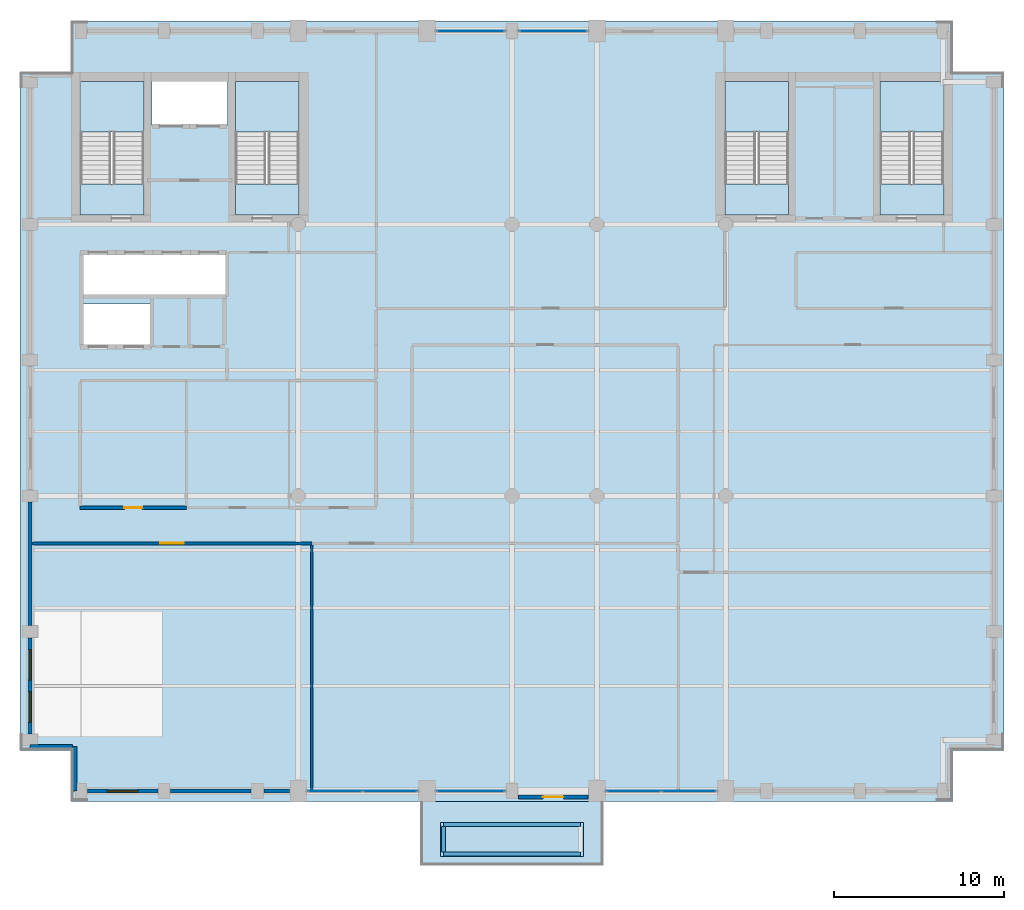
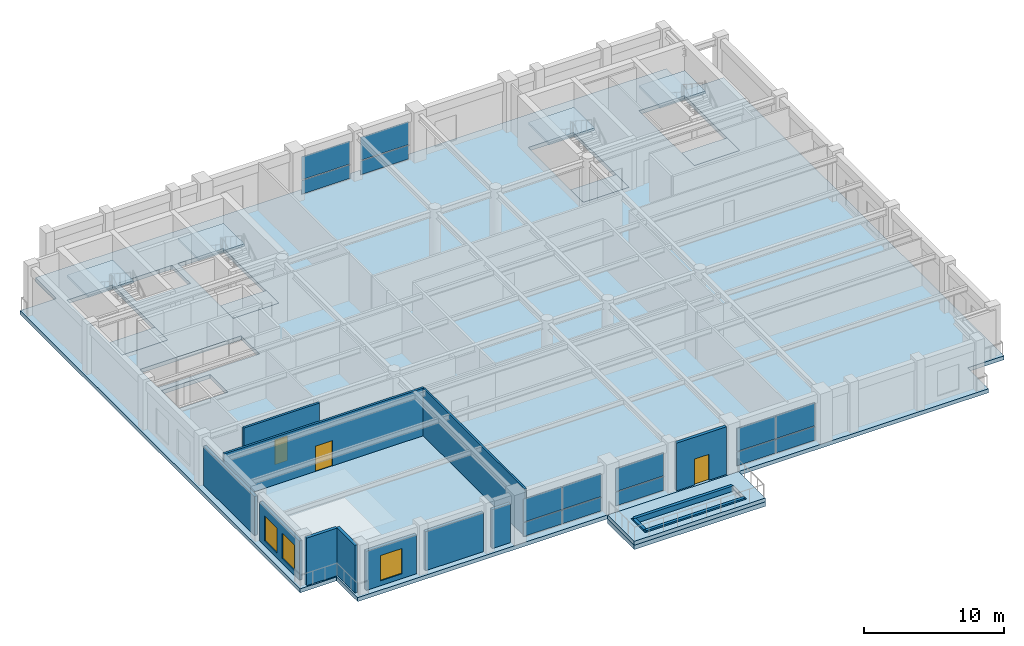
# One storey, part 6 of 13: 14 plates, 14 walls, 11 slabs, 3 doors, 3 windows, 6 openings, 9 elements without a shape of their own.
"""IFC4 building model written with IfcOpenShell, lengths in metres."""

from ifc_helpers import new_model, si_unit, direction, frame, frame_2d, origin, origin_2d, place, context, subcontext, project, spatial, polyline, rectangle, outline, extrude, material, layer, layer_set, type_object, element, fill, aggregate, save


model = new_model("IFC4")

# Units and contexts
model_context = context("Model", 3, precision=1e-05, world=origin(), true_north=direction((0.0, 1.0)))
body_context = subcontext(model_context, "Body", "Model", "MODEL_VIEW")
ifc_project = project(units=[si_unit("LENGTHUNIT", "METRE"), si_unit("AREAUNIT", "SQUARE_METRE"), si_unit("VOLUMEUNIT", "CUBIC_METRE"), si_unit("PLANEANGLEUNIT", "RADIAN"), si_unit("MASSUNIT", "GRAM", prefix="KILO")], contexts=[model_context])

# Site, building, storey
site_placement = place(None, origin())
site = spatial("IfcSite", under=ifc_project, at=site_placement, CompositionType="ELEMENT")
building_placement = place(site_placement, origin())
building = spatial("IfcBuilding", under=site, at=building_placement, Name="Sulina Concourse Tower", CompositionType="ELEMENT")
storey_placement = place(building_placement, frame((0.0, 0.0, 280.60009765625)))
storey = spatial("IfcBuildingStorey", under=building, at=storey_placement, Name="L68", CompositionType="ELEMENT", Elevation=280.60009765625)

# Slabs
ifc_material_1 = material(Name="Concrete C60/75", Category="concrete")
ifc_layer_1 = layer(ifc_material_1, 0.3798828125)
ifc_layer_set_1 = layer_set([ifc_layer_1], Name="Concrete C60/75")
slab_type_1 = type_object("IfcSlabType", Name="Cantilevered Sky-Pool Structural Basin Slab 380mm", PredefinedType="FLOOR", material=ifc_layer_set_1)
slab_1_placement = place(storey_placement, frame((0.0, 0.0, -0.72021484375)))
element("IfcSlab", 1, at=slab_1_placement, inside=storey, type_object=slab_type_1, Name="L68 cantilevered sky-pool structural basin slab", PredefinedType="FLOOR", context=body_context, shape_type="SweptSolid", body=[
    extrude(outline(polyline([(23.60009765625, -3.800048828125), (34.39990234375, -3.800048828125), (34.39990234375, 0.0), (23.60009765625, 0.0), (23.60009765625, -3.800048828125)])), origin(), (0.0, 0.0, 1.0), 0.380126953125),
])
ifc_material_2 = material(Name="Concrete C60/75", Category="concrete")
ifc_layer_2 = layer(ifc_material_2, 0.340087890625)
ifc_layer_set_2 = layer_set([ifc_layer_2], Name="Concrete C60/75")
slab_type_2 = type_object("IfcSlabType", Name="Mechanical Plant & Sky-Lobby Slab 340mm", PredefinedType="FLOOR", material=ifc_layer_set_2)
slab_2_placement = place(storey_placement, frame((0.0, 0.0, -0.340087890625)))
element("IfcSlab", 2, at=slab_2_placement, inside=storey, type_object=slab_type_2, Name="L68 structural floor slab", PredefinedType="FLOOR", context=body_context, shape_type="SweptSolid", body=[
    extrude(outline(polyline([(3.0, 0.0), (55.0, 0.0), (55.0, 3.0), (58.0, 3.0), (58.0, 43.0), (55.0, 43.0), (55.0, 46.0), (3.0, 46.0), (3.0, 43.0), (0.0, 43.0), (0.0, 3.0), (3.0, 3.0), (3.0, 0.0)]), holes=[polyline([(7.31005859375, 34.550048828125), (7.31005859375, 42.429931640625), (3.550048828125, 42.429931640625), (3.550048828125, 34.550048828125), (7.31005859375, 34.550048828125)]), polyline([(16.449951171875, 34.550048828125), (16.449951171875, 42.429931640625), (12.68994140625, 42.429931640625), (12.68994140625, 34.550048828125), (16.449951171875, 34.550048828125)]), polyline([(45.31005859375, 34.550048828125), (45.31005859375, 42.429931640625), (41.550048828125, 42.429931640625), (41.550048828125, 34.550048828125), (45.31005859375, 34.550048828125)]), polyline([(54.449951171875, 34.550048828125), (54.449951171875, 42.429931640625), (50.68994140625, 42.429931640625), (50.68994140625, 34.550048828125), (54.449951171875, 34.550048828125)]), polyline([(7.780029296875, 39.830078125), (12.219970703125, 39.830078125), (12.219970703125, 42.449951171875), (7.780029296875, 42.449951171875), (7.780029296875, 39.830078125)]), polyline([(3.739990234375, 26.780029296875), (7.77001953125, 26.780029296875), (7.77001953125, 29.320068359375), (3.739990234375, 29.320068359375), (3.739990234375, 26.780029296875)]), polyline([(3.739990234375, 29.780029296875), (12.10009765625, 29.780029296875), (12.10009765625, 32.3701171875), (3.739990234375, 32.3701171875), (3.739990234375, 29.780029296875)])]), origin(), (0.0, 0.0, 1.0), 0.340087890625),
])
ifc_material_3 = material(Name="Concrete C50/60", Category="concrete")
ifc_layer_3 = layer(ifc_material_3, 0.199951171875)
ifc_layer_set_3 = layer_set([ifc_layer_3], Name="Concrete C50/60")
slab_type_3 = type_object("IfcSlabType", Name="Primary Core Stair Landing Slab 200mm", PredefinedType="LANDING", material=ifc_layer_set_3)
slab_3_placement = place(storey_placement, frame((0.0, 0.0, -0.2001953125)))
element("IfcSlab", 3, at=slab_3_placement, inside=storey, type_object=slab_type_3, Name="L68 ST-1 floor landing slab", PredefinedType="LANDING", context=body_context, shape_type="SweptSolid", body=[
    extrude(outline(polyline([(7.31005859375, 34.550048828125), (7.31005859375, 36.375), (3.550048828125, 36.375), (3.550048828125, 34.550048828125), (7.31005859375, 34.550048828125)])), origin(), (0.0, 0.0, 1.0), 0.2001953125),
])
slab_4_placement = place(storey_placement, frame((0.0, 0.0, -0.2001953125)))
element("IfcSlab", 4, at=slab_4_placement, inside=storey, type_object=slab_type_3, Name="L68 ST-2 floor landing slab", PredefinedType="LANDING", context=body_context, shape_type="SweptSolid", body=[
    extrude(outline(polyline([(16.449951171875, 34.550048828125), (16.449951171875, 36.375), (12.68994140625, 36.375), (12.68994140625, 34.550048828125), (16.449951171875, 34.550048828125)])), origin(), (0.0, 0.0, 1.0), 0.2001953125),
])
slab_5_placement = place(storey_placement, frame((0.0, 0.0, -0.2001953125)))
element("IfcSlab", 5, at=slab_5_placement, inside=storey, type_object=slab_type_3, Name="L68 ST-3 floor landing slab", PredefinedType="LANDING", context=body_context, shape_type="SweptSolid", body=[
    extrude(outline(polyline([(45.31005859375, 34.550048828125), (45.31005859375, 36.375), (41.550048828125, 36.375), (41.550048828125, 34.550048828125), (45.31005859375, 34.550048828125)])), origin(), (0.0, 0.0, 1.0), 0.2001953125),
])
slab_6_placement = place(storey_placement, frame((0.0, 0.0, -0.2001953125)))
element("IfcSlab", 6, at=slab_6_placement, inside=storey, type_object=slab_type_3, Name="L68 ST-4 floor landing slab", PredefinedType="LANDING", context=body_context, shape_type="SweptSolid", body=[
    extrude(outline(polyline([(54.449951171875, 34.550048828125), (54.449951171875, 36.375), (50.68994140625, 36.375), (50.68994140625, 34.550048828125), (54.449951171875, 34.550048828125)])), origin(), (0.0, 0.0, 1.0), 0.2001953125),
])

# Stair, slab
ifc_material_4 = material(Name="Concrete C50/60", Category="concrete")
stair_type_1 = type_object("IfcStairType", Name="Primary Core Dog-Leg Exit Stair 1800mm", PredefinedType="HALF_TURN_STAIR", material=ifc_material_4)
stair_1_placement = place(storey_placement, origin())
stair_1 = element("IfcStair", 7, at=stair_1_placement, inside=storey, type_object=stair_type_1, Name="L68 ST-1", PredefinedType="HALF_TURN_STAIR")
slab_7_placement = place(storey_placement, frame((0.0, 0.0, 2.0)))
slab_7 = element("IfcSlab", 8, at=slab_7_placement, type_object=slab_type_3, Name="ST-1 landing 1", PredefinedType="LANDING", context=body_context, shape_type="SweptSolid", body=[
    extrude(outline(polyline([(7.304931640625, 39.455078125), (7.304931640625, 42.425048828125), (3.554931640625, 42.425048828125), (3.554931640625, 39.455078125), (7.304931640625, 39.455078125)])), origin(), (0.0, 0.0, 1.0), 0.199951171875),
])
aggregate(stair_1, [slab_7])

stair_2_placement = place(storey_placement, origin())
stair_2 = element("IfcStair", 9, at=stair_2_placement, inside=storey, type_object=stair_type_1, Name="L68 ST-2", PredefinedType="HALF_TURN_STAIR")
slab_8_placement = place(storey_placement, frame((0.0, 0.0, 2.0)))
slab_8 = element("IfcSlab", 10, at=slab_8_placement, type_object=slab_type_3, Name="ST-2 landing 1", PredefinedType="LANDING", context=body_context, shape_type="SweptSolid", body=[
    extrude(outline(polyline([(16.445068359375, 39.455078125), (16.445068359375, 42.425048828125), (12.695068359375, 42.425048828125), (12.695068359375, 39.455078125), (16.445068359375, 39.455078125)])), origin(), (0.0, 0.0, 1.0), 0.199951171875),
])
aggregate(stair_2, [slab_8])

ifc_material_5 = material(Name="Concrete C50/60", Category="concrete")
stair_type_2 = type_object("IfcStairType", Name="Portal & Podium Core Exit Stair 1820mm", PredefinedType="HALF_TURN_STAIR", material=ifc_material_5)
stair_3_placement = place(storey_placement, origin())
stair_3 = element("IfcStair", 11, at=stair_3_placement, inside=storey, type_object=stair_type_2, Name="L68 ST-3", PredefinedType="HALF_TURN_STAIR")
slab_9_placement = place(storey_placement, frame((0.0, 0.0, 2.0)))
slab_9 = element("IfcSlab", 12, at=slab_9_placement, type_object=slab_type_3, Name="ST-3 landing 1", PredefinedType="LANDING", context=body_context, shape_type="SweptSolid", body=[
    extrude(outline(polyline([(45.304931640625, 39.455078125), (45.304931640625, 42.425048828125), (41.554931640625, 42.425048828125), (41.554931640625, 39.455078125), (45.304931640625, 39.455078125)])), origin(), (0.0, 0.0, 1.0), 0.199951171875),
])
aggregate(stair_3, [slab_9])

stair_4_placement = place(storey_placement, origin())
stair_4 = element("IfcStair", 13, at=stair_4_placement, inside=storey, type_object=stair_type_2, Name="L68 ST-4", PredefinedType="HALF_TURN_STAIR")
slab_10_placement = place(storey_placement, frame((0.0, 0.0, 2.0)))
slab_10 = element("IfcSlab", 14, at=slab_10_placement, type_object=slab_type_3, Name="ST-4 landing 1", PredefinedType="LANDING", context=body_context, shape_type="SweptSolid", body=[
    extrude(outline(polyline([(54.445068359375, 39.455078125), (54.445068359375, 42.425048828125), (50.695068359375, 42.425048828125), (50.695068359375, 39.455078125), (54.445068359375, 39.455078125)])), origin(), (0.0, 0.0, 1.0), 0.199951171875),
])
aggregate(stair_4, [slab_10])

# Slab
ifc_material_6 = material(Name="Precast concrete C50/60", Category="concrete")
ifc_layer_4 = layer(ifc_material_6, 0.340087890625)
ifc_layer_set_4 = layer_set([ifc_layer_4], Name="Precast concrete C50/60")
slab_type_4 = type_object("IfcSlabType", Name="Sky-Pool Cantilevered Deck Slab 340mm", PredefinedType="FLOOR", material=ifc_layer_set_4)
slab_11_placement = place(storey_placement, frame((0.0, 0.0, -0.340087890625)))
element("IfcSlab", 15, at=slab_11_placement, inside=storey, type_object=slab_type_4, Name="L68 outdoor terrace slab SKY-POOL-DECK", PredefinedType="FLOOR", context=body_context, shape_type="SweptSolid", body=[
    extrude(outline(polyline([(23.60009765625, -3.800048828125), (34.39990234375, -3.800048828125), (34.39990234375, 0.0), (23.60009765625, 0.0), (23.60009765625, -3.800048828125)]), holes=[polyline([(24.800048828125, -3.25), (33.199951171875, -3.25), (33.199951171875, -1.25), (24.800048828125, -1.25), (24.800048828125, -3.25)])]), origin(), (0.0, 0.0, 1.0), 0.340087890625),
])

# Curtain wall, plates
ifc_material_7 = material(Name="Aluminium 6063-T6", Category="aluminium")
ifc_layer_5 = layer(ifc_material_7, 0.22998046875)
ifc_layer_set_5 = layer_set([ifc_layer_5], Name="Aluminium 6063-T6")
curtain_wall_type = type_object("IfcCurtainWallType", Name="Sky-Pool Wellness Lounge Curtain Wall System", PredefinedType="NOTDEFINED", material=ifc_layer_set_5)
curtain_wall_1_placement = place(storey_placement, origin())
curtain_wall_1 = element("IfcCurtainWall", 16, at=curtain_wall_1_placement, inside=storey, type_object=curtain_wall_type, Name="L68 glazed curtain wall S4", PredefinedType="NOTDEFINED")
ifc_material_8 = material(Name="Solar-control wellness glazing", Category="glass")
ifc_layer_6 = layer(ifc_material_8, 0.033935546875)
ifc_layer_set_6 = layer_set([ifc_layer_6], Name="Solar-control wellness glazing")
plate_type = type_object("IfcPlateType", Name="Sky-Pool Wellness Lounge Curtain Wall System Glazed Panel 34mm", PredefinedType="CURTAIN_PANEL", material=ifc_layer_set_6)
plate_1_placement = place(storey_placement, frame((21.822998046875, 0.60009765625, 0.06787109375), z_axis=(0.0, 0.0, 1.0), x_axis=(-1.0, 0.0, 0.0)))
plate_1 = element("IfcPlate", 17, at=plate_1_placement, type_object=plate_type, Name="CW-05 panel 1.1", PredefinedType="CURTAIN_PANEL", context=body_context, shape_type="SweptSolid", body=[
    extrude(rectangle(XDim=3.177978515625, YDim=0.033935546875, at=origin_2d()), origin(), (0.0, 0.0, 1.0), 1.18994140625),
])
plate_2_placement = place(storey_placement, frame((21.822998046875, 0.60009765625, 1.32568359375), z_axis=(0.0, 0.0, 1.0), x_axis=(-1.0, 0.0, 0.0)))
plate_2 = element("IfcPlate", 18, at=plate_2_placement, type_object=plate_type, Name="CW-05 panel 1.2", PredefinedType="CURTAIN_PANEL", context=body_context, shape_type="SweptSolid", body=[
    extrude(rectangle(XDim=3.177978515625, YDim=0.033935546875, at=origin_2d()), origin(), (0.0, 0.0, 1.0), 2.006103515625),
])
plate_3_placement = place(storey_placement, frame((18.576904296875, 0.60009765625, 0.06787109375), z_axis=(0.0, 0.0, 1.0), x_axis=(-1.0, 0.0, 0.0)))
plate_3 = element("IfcPlate", 19, at=plate_3_placement, type_object=plate_type, Name="CW-05 panel 2.1", PredefinedType="CURTAIN_PANEL", context=body_context, shape_type="SweptSolid", body=[
    extrude(rectangle(XDim=3.177978515625, YDim=0.033935546875, at=origin_2d()), origin(), (0.0, 0.0, 1.0), 1.18994140625),
])
plate_4_placement = place(storey_placement, frame((18.576904296875, 0.60009765625, 1.32568359375), z_axis=(0.0, 0.0, 1.0), x_axis=(-1.0, 0.0, 0.0)))
plate_4 = element("IfcPlate", 20, at=plate_4_placement, type_object=plate_type, Name="CW-05 panel 2.2", PredefinedType="CURTAIN_PANEL", context=body_context, shape_type="SweptSolid", body=[
    extrude(rectangle(XDim=3.177978515625, YDim=0.033935546875, at=origin_2d()), origin(), (0.0, 0.0, 1.0), 2.006103515625),
])
aggregate(curtain_wall_1, [plate_1, plate_2, plate_3, plate_4])

curtain_wall_2_placement = place(storey_placement, origin())
curtain_wall_2 = element("IfcCurtainWall", 21, at=curtain_wall_2_placement, inside=storey, type_object=curtain_wall_type, Name="L68 glazed curtain wall S5", PredefinedType="NOTDEFINED")
plate_5_placement = place(storey_placement, frame((26.574951171875, 0.60009765625, 0.06787109375), z_axis=(0.0, 0.0, 1.0), x_axis=(-1.0, 0.0, 0.0)))
plate_5 = element("IfcPlate", 22, at=plate_5_placement, type_object=plate_type, Name="CW-05 panel 1.1", PredefinedType="CURTAIN_PANEL", context=body_context, shape_type="SweptSolid", body=[
    extrude(rectangle(XDim=3.97412109375, YDim=0.033935546875, at=origin_2d()), origin(), (0.0, 0.0, 1.0), 1.18994140625),
])
plate_6_placement = place(storey_placement, frame((26.574951171875, 0.60009765625, 1.32568359375), z_axis=(0.0, 0.0, 1.0), x_axis=(-1.0, 0.0, 0.0)))
plate_6 = element("IfcPlate", 23, at=plate_6_placement, type_object=plate_type, Name="CW-05 panel 1.2", PredefinedType="CURTAIN_PANEL", context=body_context, shape_type="SweptSolid", body=[
    extrude(rectangle(XDim=3.97412109375, YDim=0.033935546875, at=origin_2d()), origin(), (0.0, 0.0, 1.0), 2.006103515625),
])
aggregate(curtain_wall_2, [plate_5, plate_6])

curtain_wall_3_placement = place(storey_placement, origin())
curtain_wall_3 = element("IfcCurtainWall", 24, at=curtain_wall_3_placement, inside=storey, type_object=curtain_wall_type, Name="L68 glazed curtain wall S7", PredefinedType="NOTDEFINED")
plate_7_placement = place(storey_placement, frame((39.423095703125, 0.60009765625, 0.06787109375), z_axis=(0.0, 0.0, 1.0), x_axis=(-1.0, 0.0, 0.0)))
plate_7 = element("IfcPlate", 25, at=plate_7_placement, type_object=plate_type, Name="CW-05 panel 1.1", PredefinedType="CURTAIN_PANEL", context=body_context, shape_type="SweptSolid", body=[
    extrude(rectangle(XDim=3.177978515625, YDim=0.033935546875, at=origin_2d()), origin(), (0.0, 0.0, 1.0), 1.18994140625),
])
plate_8_placement = place(storey_placement, frame((39.423095703125, 0.60009765625, 1.32568359375), z_axis=(0.0, 0.0, 1.0), x_axis=(-1.0, 0.0, 0.0)))
plate_8 = element("IfcPlate", 26, at=plate_8_placement, type_object=plate_type, Name="CW-05 panel 1.2", PredefinedType="CURTAIN_PANEL", context=body_context, shape_type="SweptSolid", body=[
    extrude(rectangle(XDim=3.177978515625, YDim=0.033935546875, at=origin_2d()), origin(), (0.0, 0.0, 1.0), 2.006103515625),
])
plate_9_placement = place(storey_placement, frame((36.177001953125, 0.60009765625, 0.06787109375), z_axis=(0.0, 0.0, 1.0), x_axis=(-1.0, 0.0, 0.0)))
plate_9 = element("IfcPlate", 27, at=plate_9_placement, type_object=plate_type, Name="CW-05 panel 2.1", PredefinedType="CURTAIN_PANEL", context=body_context, shape_type="SweptSolid", body=[
    extrude(rectangle(XDim=3.177978515625, YDim=0.033935546875, at=origin_2d()), origin(), (0.0, 0.0, 1.0), 1.18994140625),
])
plate_10_placement = place(storey_placement, frame((36.177001953125, 0.60009765625, 1.32568359375), z_axis=(0.0, 0.0, 1.0), x_axis=(-1.0, 0.0, 0.0)))
plate_10 = element("IfcPlate", 28, at=plate_10_placement, type_object=plate_type, Name="CW-05 panel 2.2", PredefinedType="CURTAIN_PANEL", context=body_context, shape_type="SweptSolid", body=[
    extrude(rectangle(XDim=3.177978515625, YDim=0.033935546875, at=origin_2d()), origin(), (0.0, 0.0, 1.0), 2.006103515625),
])
aggregate(curtain_wall_3, [plate_7, plate_8, plate_9, plate_10])

curtain_wall_4_placement = place(storey_placement, origin())
curtain_wall_4 = element("IfcCurtainWall", 29, at=curtain_wall_4_placement, inside=storey, type_object=curtain_wall_type, Name="L68 glazed curtain wall N5", PredefinedType="NOTDEFINED")
plate_11_placement = place(storey_placement, frame((26.574951171875, 45.39990234375, 0.06787109375), z_axis=(0.0, 0.0, 1.0), x_axis=(1.0, 0.0, 0.0)))
plate_11 = element("IfcPlate", 30, at=plate_11_placement, type_object=plate_type, Name="CW-05 panel 1.1", PredefinedType="CURTAIN_PANEL", context=body_context, shape_type="SweptSolid", body=[
    extrude(rectangle(XDim=3.97412109375, YDim=0.033935546875, at=origin_2d()), origin(), (0.0, 0.0, 1.0), 1.18994140625),
])
plate_12_placement = place(storey_placement, frame((26.574951171875, 45.39990234375, 1.32568359375), z_axis=(0.0, 0.0, 1.0), x_axis=(1.0, 0.0, 0.0)))
plate_12 = element("IfcPlate", 31, at=plate_12_placement, type_object=plate_type, Name="CW-05 panel 1.2", PredefinedType="CURTAIN_PANEL", context=body_context, shape_type="SweptSolid", body=[
    extrude(rectangle(XDim=3.97412109375, YDim=0.033935546875, at=origin_2d()), origin(), (0.0, 0.0, 1.0), 2.006103515625),
])
aggregate(curtain_wall_4, [plate_11, plate_12])

curtain_wall_5_placement = place(storey_placement, origin())
curtain_wall_5 = element("IfcCurtainWall", 32, at=curtain_wall_5_placement, inside=storey, type_object=curtain_wall_type, Name="L68 glazed curtain wall N6", PredefinedType="NOTDEFINED")
plate_13_placement = place(storey_placement, frame((31.425048828125, 45.39990234375, 0.06787109375), z_axis=(0.0, 0.0, 1.0), x_axis=(1.0, 0.0, 0.0)))
plate_13 = element("IfcPlate", 33, at=plate_13_placement, type_object=plate_type, Name="CW-05 panel 1.1", PredefinedType="CURTAIN_PANEL", context=body_context, shape_type="SweptSolid", body=[
    extrude(rectangle(XDim=3.97412109375, YDim=0.033935546875, at=origin_2d()), origin(), (0.0, 0.0, 1.0), 1.18994140625),
])
plate_14_placement = place(storey_placement, frame((31.425048828125, 45.39990234375, 1.32568359375), z_axis=(0.0, 0.0, 1.0), x_axis=(1.0, 0.0, 0.0)))
plate_14 = element("IfcPlate", 34, at=plate_14_placement, type_object=plate_type, Name="CW-05 panel 1.2", PredefinedType="CURTAIN_PANEL", context=body_context, shape_type="SweptSolid", body=[
    extrude(rectangle(XDim=3.97412109375, YDim=0.033935546875, at=origin_2d()), origin(), (0.0, 0.0, 1.0), 2.006103515625),
])
aggregate(curtain_wall_5, [plate_13, plate_14])

# Wall, opening, window
ifc_material_9 = material(Name="Precast concrete C50/60", Category="concrete")
ifc_layer_7 = layer(ifc_material_9, 0.239990234375)
ifc_layer_set_7 = layer_set([ifc_layer_7], Name="Precast concrete C50/60")
wall_type_1 = type_object("IfcWallType", Name="Crown Precast Masonry-Frame Facade Wall 240mm", PredefinedType="SOLIDWALL", material=ifc_layer_set_7)
wall_1_placement = place(storey_placement, frame((8.1298828125, 0.60009765625, 0.0), z_axis=(0.0, 0.0, 1.0), x_axis=(-1.0, 0.0, 0.0)))
wall_1 = element("IfcWall", 35, at=wall_1_placement, inside=storey, type_object=wall_type_1, Name="L68 exterior precast wall S1", PredefinedType="SOLIDWALL", context=body_context, shape_type="SweptSolid", body=[
    extrude(rectangle(XDim=4.159912109375, YDim=0.239990234375, at=frame_2d((2.080078125, 0.0))), origin(), (0.0, 0.0, 1.0), 3.39990234375),
])
opening_1_placement = place(wall_1_placement, frame((1.179931640625, 0.0, 0.419921875)))
opening_1 = element("IfcOpeningElement", 36, at=opening_1_placement, cuts=wall_1, Name="Opening WN-25", PredefinedType="OPENING", context=body_context, shape_type="SweptSolid", body=[
    extrude(rectangle(XDim=1.800048828125, YDim=2.199951171875, at=frame_2d((0.89990234375, 1.10009765625))), frame((0.0, 0.1298828125, 0.0), z_axis=(0.0, -1.0, 0.0), x_axis=(1.0, 0.0, 0.0)), (0.0, 0.0, 1.0), 0.260009765625),
])
ifc_material_10 = material(Name="Low-E solar double glazing in bronze aluminium", Category="aluminium")
window_type = type_object("IfcWindowType", Name="Punched Masonry-Frame Window 1800x2200", PartitioningType="SINGLE_PANEL", PredefinedType="WINDOW", material=ifc_material_10)
window_1_placement = place(opening_1_placement, origin())
window_1 = element("IfcWindow", 37, at=window_1_placement, inside=storey, type_object=window_type, Name="L68 punched window S1-1", OverallHeight=2.199951171875, OverallWidth=1.800048828125, PartitioningType="SINGLE_PANEL", PredefinedType="WINDOW", context=body_context, shape_type="SweptSolid", body=[
    extrude(rectangle(XDim=1.800048828125, YDim=2.199951171875, at=frame_2d((0.89990234375, 1.10009765625))), frame((0.0, 0.030029296875, 0.0), z_axis=(0.0, -1.0, 0.0), x_axis=(1.0, 0.0, 0.0)), (0.0, 0.0, 1.0), 0.06005859375),
])
fill(opening_1, window_1)

# Walls
wall_2_placement = place(storey_placement, frame((13.6298828125, 0.60009765625, 0.0), z_axis=(0.0, 0.0, 1.0), x_axis=(-1.0, 0.0, 0.0)))
element("IfcWall", 38, at=wall_2_placement, inside=storey, type_object=wall_type_1, Name="L68 exterior precast wall S2", PredefinedType="SOLIDWALL", context=body_context, shape_type="SweptSolid", body=[
    extrude(rectangle(XDim=4.759765625, YDim=0.239990234375, at=frame_2d((2.3798828125, 0.0))), origin(), (0.0, 0.0, 1.0), 3.39990234375),
])
wall_3_placement = place(storey_placement, frame((15.8798828125, 0.60009765625, 0.0), z_axis=(0.0, 0.0, 1.0), x_axis=(-1.0, 0.0, 0.0)))
element("IfcWall", 39, at=wall_3_placement, inside=storey, type_object=wall_type_1, Name="L68 exterior precast wall S3", PredefinedType="SOLIDWALL", context=body_context, shape_type="SweptSolid", body=[
    extrude(rectangle(XDim=1.509765625, YDim=0.239990234375, at=frame_2d((0.7548828125, 0.0))), origin(), (0.0, 0.0, 1.0), 3.39990234375),
])

# Wall, opening, door
wall_4_placement = place(storey_placement, frame((33.47998046875, 0.25, 0.0), z_axis=(0.0, 0.0, 1.0), x_axis=(-1.0, 0.0, 0.0)))
wall_4 = element("IfcWall", 40, at=wall_4_placement, inside=storey, type_object=wall_type_1, Name="L68 exterior precast wall S6", PredefinedType="SOLIDWALL", context=body_context, shape_type="SweptSolid", body=[
    extrude(rectangle(XDim=4.10986328125, YDim=0.239990234375, at=frame_2d((2.054931640625, 0.0))), origin(), (0.0, 0.0, 1.0), 4.14990234375),
])
opening_2_placement = place(wall_4_placement, frame((1.455078125, 0.0, 0.0)))
opening_2 = element("IfcOpeningElement", 41, at=opening_2_placement, cuts=wall_4, Name="Opening DR-22", PredefinedType="OPENING", context=body_context, shape_type="SweptSolid", body=[
    extrude(rectangle(XDim=1.199951171875, YDim=2.25, at=frame_2d((0.60009765625, 1.125))), frame((0.0, 0.1298828125, 0.0), z_axis=(0.0, -1.0, 0.0), x_axis=(1.0, 0.0, 0.0)), (0.0, 0.0, 1.0), 0.260009765625),
])
ifc_material_11 = material(Name="Anodised bronze aluminium and glazed leaf", Category="aluminium")
ifc_layer_8 = layer(ifc_material_11, 0.054931640625)
ifc_layer_set_8 = layer_set([ifc_layer_8], Name="Anodised bronze aluminium and glazed leaf")
door_type_1 = type_object("IfcDoorType", Name="Planted Terrace & Sky-Deck Door 1200x2250", OperationType="NOTDEFINED", PredefinedType="DOOR", material=ifc_layer_set_8)
door_1_placement = place(opening_2_placement, origin())
door_1 = element("IfcDoor", 42, at=door_1_placement, inside=storey, type_object=door_type_1, Name="L68 exterior door TD-POOL", OperationType="SINGLE_SWING_LEFT", OverallHeight=2.25, OverallWidth=1.199951171875, PredefinedType="DOOR", context=body_context, shape_type="SweptSolid", body=[
    extrude(rectangle(XDim=1.199951171875, YDim=2.25, at=frame_2d((0.60009765625, 1.125))), frame((0.0, 0.02490234375, 0.0), z_axis=(0.0, -1.0, 0.0), x_axis=(1.0, 0.0, 0.0)), (0.0, 0.0, 1.0), 0.050048828125),
])
fill(opening_2, door_1)

# Wall, openings, windows
wall_5_placement = place(storey_placement, frame((0.60009765625, 3.969970703125, 0.0), z_axis=(0.0, 0.0, 1.0), x_axis=(0.0, 1.0, 0.0)))
wall_5 = element("IfcWall", 43, at=wall_5_placement, inside=storey, type_object=wall_type_1, Name="L68 exterior precast wall W1", PredefinedType="SOLIDWALL", context=body_context, shape_type="SweptSolid", body=[
    extrude(rectangle(XDim=5.659912109375, YDim=0.239990234375, at=frame_2d((2.830078125, 0.0))), origin(), (0.0, 0.0, 1.0), 3.39990234375),
])
opening_3_placement = place(wall_5_placement, frame((0.686767578125, 0.0, 0.419921875)))
opening_3 = element("IfcOpeningElement", 44, at=opening_3_placement, cuts=wall_5, Name="Opening WN-25", PredefinedType="OPENING", context=body_context, shape_type="SweptSolid", body=[
    extrude(rectangle(XDim=1.800048828125, YDim=2.199951171875, at=frame_2d((0.89990234375, 1.10009765625))), frame((0.0, 0.1298828125, 0.0), z_axis=(0.0, -1.0, 0.0), x_axis=(1.0, 0.0, 0.0)), (0.0, 0.0, 1.0), 0.260009765625),
])
opening_4_placement = place(wall_5_placement, frame((3.17333984375, 0.0, 0.419921875)))
opening_4 = element("IfcOpeningElement", 45, at=opening_4_placement, cuts=wall_5, Name="Opening WN-25", PredefinedType="OPENING", context=body_context, shape_type="SweptSolid", body=[
    extrude(rectangle(XDim=1.800048828125, YDim=2.199951171875, at=frame_2d((0.89990234375, 1.10009765625))), frame((0.0, 0.1298828125, 0.0), z_axis=(0.0, -1.0, 0.0), x_axis=(1.0, 0.0, 0.0)), (0.0, 0.0, 1.0), 0.260009765625),
])
window_2_placement = place(opening_3_placement, origin())
window_2 = element("IfcWindow", 46, at=window_2_placement, inside=storey, type_object=window_type, Name="L68 punched window W1-1", OverallHeight=2.199951171875, OverallWidth=1.800048828125, PartitioningType="SINGLE_PANEL", PredefinedType="WINDOW", context=body_context, shape_type="SweptSolid", body=[
    extrude(rectangle(XDim=1.800048828125, YDim=2.199951171875, at=frame_2d((0.89990234375, 1.10009765625))), frame((0.0, 0.030029296875, 0.0), z_axis=(0.0, -1.0, 0.0), x_axis=(1.0, 0.0, 0.0)), (0.0, 0.0, 1.0), 0.06005859375),
])
fill(opening_3, window_2)
window_3_placement = place(opening_4_placement, origin())
window_3 = element("IfcWindow", 47, at=window_3_placement, inside=storey, type_object=window_type, Name="L68 punched window W1-2", OverallHeight=2.199951171875, OverallWidth=1.800048828125, PartitioningType="SINGLE_PANEL", PredefinedType="WINDOW", context=body_context, shape_type="SweptSolid", body=[
    extrude(rectangle(XDim=1.800048828125, YDim=2.199951171875, at=frame_2d((0.89990234375, 1.10009765625))), frame((0.0, 0.030029296875, 0.0), z_axis=(0.0, -1.0, 0.0), x_axis=(1.0, 0.0, 0.0)), (0.0, 0.0, 1.0), 0.06005859375),
])
fill(opening_4, window_3)

# Walls
wall_6_placement = place(storey_placement, frame((0.60009765625, 10.3701171875, 0.0), z_axis=(0.0, 0.0, 1.0), x_axis=(0.0, 1.0, 0.0)))
element("IfcWall", 48, at=wall_6_placement, inside=storey, type_object=wall_type_1, Name="L68 exterior precast wall W2", PredefinedType="SOLIDWALL", context=body_context, shape_type="SweptSolid", body=[
    extrude(rectangle(XDim=7.259765625, YDim=0.239990234375, at=frame_2d((3.6298828125, 0.0))), origin(), (0.0, 0.0, 1.0), 3.39990234375),
])
wall_7_placement = place(storey_placement, frame((3.22998046875, 0.60009765625, 0.0), z_axis=(0.0, 0.0, 1.0), x_axis=(0.0, 1.0, 0.0)))
element("IfcWall", 49, at=wall_7_placement, inside=storey, type_object=wall_type_1, Name="L68 exterior precast wall CSW1", PredefinedType="SOLIDWALL", context=body_context, shape_type="SweptSolid", body=[
    extrude(rectangle(XDim=2.6298828125, YDim=0.239990234375, at=frame_2d((1.31494140625, 0.0))), origin(), (0.0, 0.0, 1.0), 4.14990234375),
])
wall_8_placement = place(storey_placement, frame((3.10498046875, 3.22998046875, 0.0), z_axis=(0.0, 0.0, 1.0), x_axis=(-1.0, 0.0, 0.0)))
element("IfcWall", 50, at=wall_8_placement, inside=storey, type_object=wall_type_1, Name="L68 exterior precast wall CSW2", PredefinedType="SOLIDWALL", context=body_context, shape_type="SweptSolid", body=[
    extrude(rectangle(XDim=2.5048828125, YDim=0.239990234375, at=frame_2d((1.25244140625, 0.0))), origin(), (0.0, 0.0, 1.0), 4.14990234375),
])
ifc_material_12 = material(Name="Gypsum board on steel stud", Category="steel")
ifc_layer_9 = layer(ifc_material_12, 0.14990234375)
ifc_layer_set_9 = layer_set([ifc_layer_9], Name="Gypsum board on steel stud")
wall_type_2 = type_object("IfcWallType", Name="Inter-Tenancy Acoustic Partition 150mm", PredefinedType="PARTITIONING", material=ifc_layer_set_9)
wall_9_placement = place(storey_placement, frame((17.199951171875, 0.60009765625, 0.0), z_axis=(0.0, 0.0, 1.0), x_axis=(0.0, 1.0, 0.0)))
element("IfcWall", 51, at=wall_9_placement, inside=storey, type_object=wall_type_2, Name="L68 interior partition 033", PredefinedType="PARTITIONING", context=body_context, shape_type="SweptSolid", body=[
    extrude(rectangle(XDim=14.510009765625, YDim=0.14990234375, at=frame_2d((7.2548828125, 0.0))), origin(), (0.0, 0.0, 1.0), 4.14990234375),
])

# Wall, opening, door
ifc_material_13 = material(Name="Gypsum board on steel stud", Category="steel")
ifc_layer_10 = layer(ifc_material_13, 0.179931640625)
ifc_layer_set_10 = layer_set([ifc_layer_10], Name="Gypsum board on steel stud")
wall_type_3 = type_object("IfcWallType", Name="Protected Corridor & Riser Partition 180mm", PredefinedType="PARTITIONING", material=ifc_layer_set_10)
wall_10_placement = place(storey_placement, frame((0.719970703125, 15.199951171875, 0.0), z_axis=(0.0, 0.0, 1.0), x_axis=(1.0, 0.0, 0.0)))
wall_10 = element("IfcWall", 52, at=wall_10_placement, inside=storey, type_object=wall_type_3, Name="L68 interior partition 003", PredefinedType="PARTITIONING", context=body_context, shape_type="SweptSolid", body=[
    extrude(rectangle(XDim=16.47998046875, YDim=0.179931640625, at=frame_2d((8.239990234375, 0.0))), origin(), (0.0, 0.0, 1.0), 4.14990234375),
])
opening_5_placement = place(wall_10_placement, frame((7.5400390625, 0.0, 0.0)))
opening_5 = element("IfcOpeningElement", 53, at=opening_5_placement, cuts=wall_10, Name="Opening DR-57", PredefinedType="OPENING", context=body_context, shape_type="SweptSolid", body=[
    extrude(rectangle(XDim=1.39990234375, YDim=2.199951171875, at=frame_2d((0.699951171875, 1.10009765625))), frame((0.0, 0.099853515625, 0.0), z_axis=(0.0, -1.0, 0.0), x_axis=(1.0, 0.0, 0.0)), (0.0, 0.0, 1.0), 0.199951171875),
])
ifc_material_14 = material(Name="Oak-veneered fire door leaf")
ifc_layer_11 = layer(ifc_material_14, 0.054931640625)
ifc_layer_set_11 = layer_set([ifc_layer_11], Name="Oak-veneered fire door leaf")
door_type_2 = type_object("IfcDoorType", Name="Core Lift Lobby Double Fire Door 1400x2200", OperationType="DOUBLE_DOOR_SINGLE_SWING", PredefinedType="DOOR", material=ifc_layer_set_11)
door_2_placement = place(opening_5_placement, origin())
door_2 = element("IfcDoor", 54, at=door_2_placement, inside=storey, type_object=door_type_2, Name="L68 interior door L68-GYM-W", OperationType="DOUBLE_DOOR_SINGLE_SWING", OverallHeight=2.199951171875, OverallWidth=1.39990234375, PredefinedType="DOOR", context=body_context, shape_type="SweptSolid", body=[
    extrude(rectangle(XDim=1.39990234375, YDim=2.199951171875, at=frame_2d((0.699951171875, 1.10009765625))), frame((0.0, 0.02490234375, 0.0), z_axis=(0.0, -1.0, 0.0), x_axis=(1.0, 0.0, 0.0)), (0.0, 0.0, 1.0), 0.050048828125),
])
fill(opening_5, door_2)

wall_11_placement = place(storey_placement, frame((3.550048828125, 17.300048828125, 0.0), z_axis=(0.0, 0.0, 1.0), x_axis=(1.0, 0.0, 0.0)))
wall_11 = element("IfcWall", 55, at=wall_11_placement, inside=storey, type_object=wall_type_3, Name="L68 interior partition 006", PredefinedType="PARTITIONING", context=body_context, shape_type="SweptSolid", body=[
    extrude(rectangle(XDim=6.25, YDim=0.179931640625, at=frame_2d((3.125, 0.0))), origin(), (0.0, 0.0, 1.0), 4.14990234375),
])
opening_6_placement = place(wall_11_placement, frame((2.60009765625, 0.0, 0.0)))
opening_6 = element("IfcOpeningElement", 56, at=opening_6_placement, cuts=wall_11, Name="Opening DR-37", PredefinedType="OPENING", context=body_context, shape_type="SweptSolid", body=[
    extrude(rectangle(XDim=1.050048828125, YDim=2.14990234375, at=frame_2d((0.52490234375, 1.074951171875))), frame((0.0, 0.099853515625, 0.0), z_axis=(0.0, -1.0, 0.0), x_axis=(1.0, 0.0, 0.0)), (0.0, 0.0, 1.0), 0.199951171875),
])
ifc_material_15 = material(Name="Oak-veneered fire door leaf")
ifc_layer_12 = layer(ifc_material_15, 0.050048828125)
ifc_layer_set_12 = layer_set([ifc_layer_12], Name="Oak-veneered fire door leaf")
door_type_3 = type_object("IfcDoorType", Name="Tenant Suite Entrance Fire Door 1050x2150", OperationType="NOTDEFINED", PredefinedType="DOOR", material=ifc_layer_set_12)
door_3_placement = place(opening_6_placement, origin())
door_3 = element("IfcDoor", 57, at=door_3_placement, inside=storey, type_object=door_type_3, Name="L68 interior door L68-LR-MRG1", OperationType="SINGLE_SWING_RIGHT", OverallHeight=2.14990234375, OverallWidth=1.050048828125, PredefinedType="DOOR", context=body_context, shape_type="SweptSolid", body=[
    extrude(rectangle(XDim=1.050048828125, YDim=2.14990234375, at=frame_2d((0.52490234375, 1.074951171875))), frame((0.0, 0.02490234375, 0.0), z_axis=(0.0, -1.0, 0.0), x_axis=(1.0, 0.0, 0.0)), (0.0, 0.0, 1.0), 0.050048828125),
])
fill(opening_6, door_3)

# Walls
ifc_material_16 = material(Name="Concrete C50/60", Category="concrete")
ifc_layer_13 = layer(ifc_material_16, 0.239990234375)
ifc_layer_set_13 = layer_set([ifc_layer_13], Name="Concrete C50/60")
wall_type_4 = type_object("IfcWallType", Name="Sky-Pool Water-Retaining Wall 240mm", PredefinedType="SOLIDWALL", material=ifc_layer_set_13)
for number, where, z_axis, x_axis, name in (
    (58, (33.050048828125, -3.1201171875, -0.340087890625), (0.0, 0.0, 1.0), (-1.0, 0.0, 0.0), "L68 sky-pool retaining wall PW-S"),
    (59, (24.949951171875, -1.3798828125, -0.340087890625), (0.0, 0.0, 1.0), (1.0, 0.0, 0.0), "L68 sky-pool retaining wall PW-N"),
):
    element("IfcWall", number, at=place(storey_placement, frame(where, z_axis=z_axis, x_axis=x_axis)), inside=storey, type_object=wall_type_4, Name=name, PredefinedType="SOLIDWALL", context=body_context, shape_type="SweptSolid", body=[
        extrude(rectangle(XDim=8.10009765625, YDim=0.239990234375, at=frame_2d((4.050048828125, 0.0))), origin(), (0.0, 0.0, 1.0), 0.4599609375),
    ])
wall_12_placement = place(storey_placement, frame((24.949951171875, -3.0, -0.340087890625), z_axis=(0.0, 0.0, 1.0), x_axis=(0.0, 1.0, 0.0)))
element("IfcWall", 60, at=wall_12_placement, inside=storey, type_object=wall_type_4, Name="L68 sky-pool retaining wall PW-W", PredefinedType="SOLIDWALL", context=body_context, shape_type="SweptSolid", body=[
    extrude(rectangle(XDim=1.5, YDim=0.239990234375, at=frame_2d((0.75, 0.0))), origin(), (0.0, 0.0, 1.0), 0.4599609375),
])

save(model, "model.ifc")
